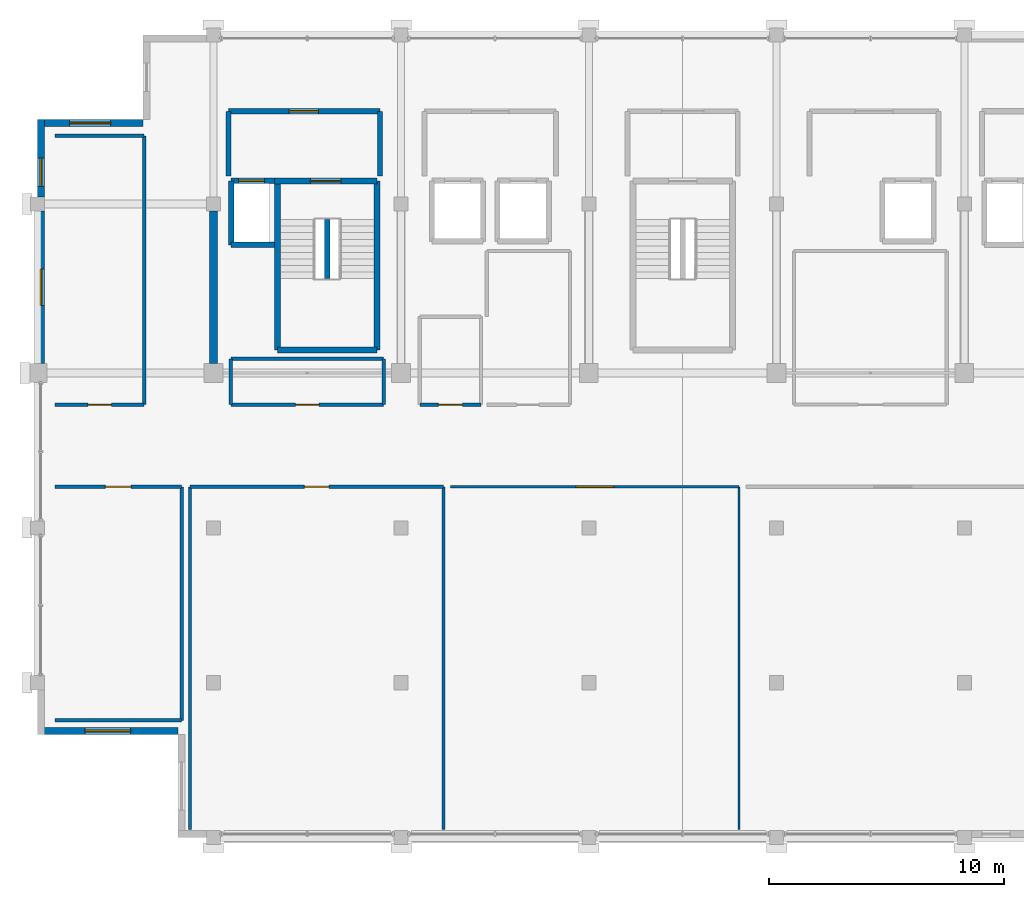
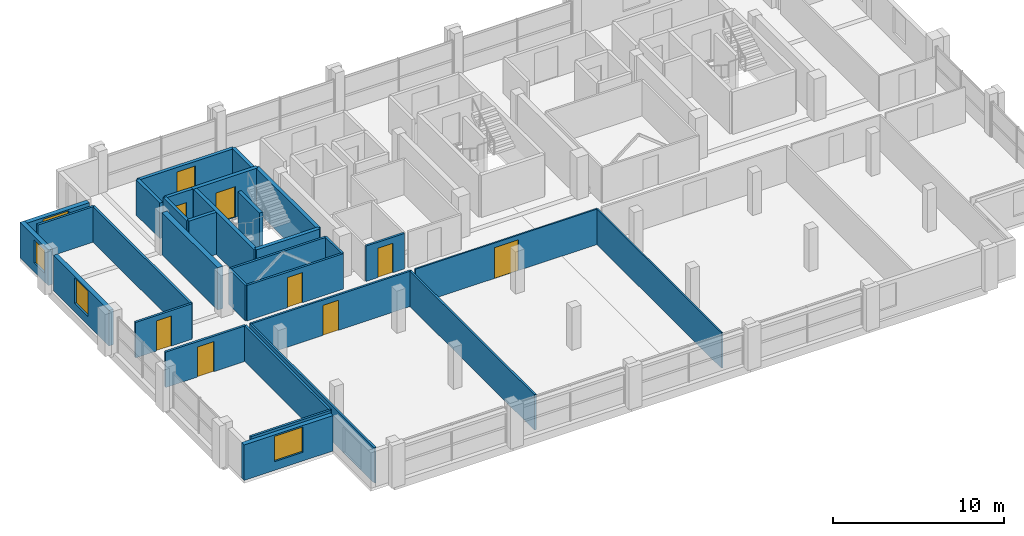
# One storey, part 20 of 24: 32 walls, 9 doors, 4 windows, 13 openings.
"""IFC4 building model written with IfcOpenShell, lengths in metres."""

from ifc_helpers import new_model, si_unit, direction, frame, frame_2d, origin, place, context, subcontext, project, spatial, rectangle, extrude, material, layer, layer_set, type_object, element, fill, save


model = new_model("IFC4")

# Units and contexts
model_context = context("Model", 3, precision=1e-05, world=origin(), true_north=direction((0.0, 1.0)))
body_context = subcontext(model_context, "Body", "Model", "MODEL_VIEW")
ifc_project = project(units=[si_unit("LENGTHUNIT", "METRE"), si_unit("AREAUNIT", "SQUARE_METRE"), si_unit("VOLUMEUNIT", "CUBIC_METRE"), si_unit("PLANEANGLEUNIT", "RADIAN"), si_unit("MASSUNIT", "GRAM", prefix="KILO")], contexts=[model_context])

# Site, building, storey
site_placement = place(None, origin())
site = spatial("IfcSite", under=ifc_project, at=site_placement, CompositionType="ELEMENT")
building_placement = place(site_placement, origin())
building = spatial("IfcBuilding", under=site, at=building_placement, Name="Akrevak Sports Hall", CompositionType="ELEMENT")
storey_placement = place(building_placement, frame((0.0, 0.0, 63.300048828125)))
storey = spatial("IfcBuildingStorey", under=building, at=storey_placement, Name="L16", CompositionType="ELEMENT", Elevation=63.300048828125)

# Wall, opening, window
ifc_material_1 = material(Name="Limestone Ashlar", Category="stone")
ifc_layer_1 = layer(ifc_material_1, 0.06005859375, Name="Limestone Ashlar")
ifc_material_2 = material(Name="Mineral Wool Thermal Insulation", Category="insulation")
ifc_layer_2 = layer(ifc_material_2, 0.090087890625, Name="Mineral Wool Thermal Insulation")
ifc_material_3 = material(Name="Concrete C40/50", Category="concrete")
ifc_layer_3 = layer(ifc_material_3, 0.14990234375, Name="Concrete C40/50")
ifc_layer_set_1 = layer_set([ifc_layer_1, ifc_layer_2, ifc_layer_3], Name="Limestone Ashlar / Mineral Wool Thermal Insulation / Concrete C40/50")
wall_type_1 = type_object("IfcWallType", Name="ARC-WL-EXT-300", PredefinedType="SOLIDWALL", material=ifc_layer_set_1)
wall_1_placement = place(storey_placement, frame((57.0, 65.85009765625, 0.0), z_axis=(0.0, 0.0, 1.0), x_axis=(-1.0, 0.0, 0.0)))
wall_1 = element("IfcWall", 1, at=wall_1_placement, inside=storey, type_object=wall_type_1, Name="Tower Stone Facade Wall L16-N25", PredefinedType="SOLIDWALL", context=body_context, shape_type="SweptSolid", body=[
    extrude(rectangle(XDim=4.5, YDim=0.300048828125, at=frame_2d((2.25, 0.0))), origin(), (0.0, 0.0, 1.0), 2.530029296875),
])
opening_1_placement = place(wall_1_placement, frame((1.375, 0.0, 0.6201171875)))
opening_1 = element("IfcOpeningElement", 2, at=opening_1_placement, cuts=wall_1, Name="Opening WN-56", PredefinedType="OPENING", context=body_context, shape_type="SweptSolid", body=[
    extrude(rectangle(XDim=1.75, YDim=1.81005859375, at=frame_2d((0.875, 0.905029296875))), frame((0.0, 0.162109375, 0.0), z_axis=(0.0, -1.0, 0.0), x_axis=(1.0, 0.0, 0.0)), (0.0, 0.0, 1.0), 0.323974609375),
])
ifc_material_4 = material(Name="Thermally Broken Bronze Frame & Double Low-E Glass", Category="glass")
window_type_1 = type_object("IfcWindowType", Name="ARC-WIN-SZ-1750x1810", PartitioningType="SINGLE_PANEL", PredefinedType="WINDOW", material=ifc_material_4)
window_1_placement = place(opening_1_placement, origin())
window_1 = element("IfcWindow", 3, at=window_1_placement, inside=storey, type_object=window_type_1, Name="Tower Window L16-N25", OverallHeight=1.81005859375, OverallWidth=1.75, PartitioningType="SINGLE_PANEL", PredefinedType="WINDOW", context=body_context, shape_type="SweptSolid", body=[
    extrude(rectangle(XDim=1.75, YDim=1.81005859375, at=frame_2d((0.875, 0.905029296875))), frame((0.0, 0.030029296875, 0.0), z_axis=(0.0, -1.0, 0.0), x_axis=(1.0, 0.0, 0.0)), (0.0, 0.0, 1.0), 0.06005859375),
])
fill(opening_1, window_1)

wall_2_placement = place(storey_placement, frame((52.64990234375, 66.0, 0.0), z_axis=(0.0, 0.0, 1.0), x_axis=(0.0, -1.0, 0.0)))
wall_2 = element("IfcWall", 4, at=wall_2_placement, inside=storey, type_object=wall_type_1, Name="Tower Stone Facade Wall L16-W26", PredefinedType="SOLIDWALL", context=body_context, shape_type="SweptSolid", body=[
    extrude(rectangle(XDim=3.300048828125, YDim=0.300048828125, at=frame_2d((1.64990234375, 0.0))), origin(), (0.0, 0.0, 1.0), 2.530029296875),
])
opening_2_placement = place(wall_2_placement, frame((1.64990234375, 0.0, 0.6201171875)))
opening_2 = element("IfcOpeningElement", 5, at=opening_2_placement, cuts=wall_2, Name="Opening WN-45", PredefinedType="OPENING", context=body_context, shape_type="SweptSolid", body=[
    extrude(rectangle(XDim=1.199951171875, YDim=1.64990234375, at=frame_2d((0.60009765625, 0.824951171875))), frame((0.0, 0.162109375, 0.0), z_axis=(0.0, -1.0, 0.0), x_axis=(1.0, 0.0, 0.0)), (0.0, 0.0, 1.0), 0.323974609375),
])
window_type_2 = type_object("IfcWindowType", Name="ARC-WIN-SZ-1200x1650", PartitioningType="SINGLE_PANEL", PredefinedType="WINDOW", material=ifc_material_4)
window_2_placement = place(opening_2_placement, origin())
window_2 = element("IfcWindow", 6, at=window_2_placement, inside=storey, type_object=window_type_2, Name="Tower Window L16-W26", OverallHeight=1.64990234375, OverallWidth=1.199951171875, PartitioningType="SINGLE_PANEL", PredefinedType="WINDOW", context=body_context, shape_type="SweptSolid", body=[
    extrude(rectangle(XDim=1.199951171875, YDim=1.64990234375, at=frame_2d((0.60009765625, 0.824951171875))), frame((0.0, 0.030029296875, 0.0), z_axis=(0.0, -1.0, 0.0), x_axis=(1.0, 0.0, 0.0)), (0.0, 0.0, 1.0), 0.06005859375),
])
fill(opening_2, window_2)

wall_3_placement = place(storey_placement, frame((52.64990234375, 62.10009765625, 0.0), z_axis=(0.0, 0.0, 1.0), x_axis=(0.0, -1.0, 0.0)))
wall_3 = element("IfcWall", 7, at=wall_3_placement, inside=storey, type_object=wall_type_1, Name="Tower Stone Facade Wall L16-W27", PredefinedType="SOLIDWALL", context=body_context, shape_type="SweptSolid", body=[
    extrude(rectangle(XDim=6.5, YDim=0.300048828125, at=frame_2d((3.25, 0.0))), origin(), (0.0, 0.0, 1.0), 2.530029296875),
])
opening_3_placement = place(wall_3_placement, frame((2.47509765625, 0.0, 0.6201171875)))
opening_3 = element("IfcOpeningElement", 8, at=opening_3_placement, cuts=wall_3, Name="Opening WN-50", PredefinedType="OPENING", context=body_context, shape_type="SweptSolid", body=[
    extrude(rectangle(XDim=1.550048828125, YDim=1.81005859375, at=frame_2d((0.77490234375, 0.905029296875))), frame((0.0, 0.162109375, 0.0), z_axis=(0.0, -1.0, 0.0), x_axis=(1.0, 0.0, 0.0)), (0.0, 0.0, 1.0), 0.323974609375),
])
window_type_3 = type_object("IfcWindowType", Name="ARC-WIN-SZ-1550x1810", PartitioningType="SINGLE_PANEL", PredefinedType="WINDOW", material=ifc_material_4)
window_3_placement = place(opening_3_placement, origin())
window_3 = element("IfcWindow", 9, at=window_3_placement, inside=storey, type_object=window_type_3, Name="Tower Window L16-W27", OverallHeight=1.81005859375, OverallWidth=1.550048828125, PartitioningType="SINGLE_PANEL", PredefinedType="WINDOW", context=body_context, shape_type="SweptSolid", body=[
    extrude(rectangle(XDim=1.550048828125, YDim=1.81005859375, at=frame_2d((0.77490234375, 0.905029296875))), frame((0.0, 0.030029296875, 0.0), z_axis=(0.0, -1.0, 0.0), x_axis=(1.0, 0.0, 0.0)), (0.0, 0.0, 1.0), 0.06005859375),
])
fill(opening_3, window_3)

wall_4_placement = place(storey_placement, frame((52.5, 39.949951171875, 0.0), z_axis=(0.0, 0.0, 1.0), x_axis=(1.0, 0.0, 0.0)))
wall_4 = element("IfcWall", 10, at=wall_4_placement, inside=storey, type_object=wall_type_1, Name="Tower Stone Facade Wall L16-S31", PredefinedType="SOLIDWALL", context=body_context, shape_type="SweptSolid", body=[
    extrude(rectangle(XDim=6.0, YDim=0.300048828125, at=frame_2d((3.0, 0.0))), origin(), (0.0, 0.0, 1.0), 2.530029296875),
])
opening_4_placement = place(wall_4_placement, frame((2.02490234375, 0.0, 0.6201171875)))
opening_4 = element("IfcOpeningElement", 11, at=opening_4_placement, cuts=wall_4, Name="Opening WN-52", PredefinedType="OPENING", context=body_context, shape_type="SweptSolid", body=[
    extrude(rectangle(XDim=1.949951171875, YDim=1.81005859375, at=frame_2d((0.97509765625, 0.905029296875))), frame((0.0, 0.162109375, 0.0), z_axis=(0.0, -1.0, 0.0), x_axis=(1.0, 0.0, 0.0)), (0.0, 0.0, 1.0), 0.323974609375),
])
window_type_4 = type_object("IfcWindowType", Name="ARC-WIN-SZ-1950x1810", PartitioningType="SINGLE_PANEL", PredefinedType="WINDOW", material=ifc_material_4)
window_4_placement = place(opening_4_placement, origin())
window_4 = element("IfcWindow", 12, at=window_4_placement, inside=storey, type_object=window_type_4, Name="Tower Window L16-S31", OverallHeight=1.81005859375, OverallWidth=1.949951171875, PartitioningType="SINGLE_PANEL", PredefinedType="WINDOW", context=body_context, shape_type="SweptSolid", body=[
    extrude(rectangle(XDim=1.949951171875, YDim=1.81005859375, at=frame_2d((0.97509765625, 0.905029296875))), frame((0.0, 0.030029296875, 0.0), z_axis=(0.0, -1.0, 0.0), x_axis=(1.0, 0.0, 0.0)), (0.0, 0.0, 1.0), 0.06005859375),
])
fill(opening_4, window_4)

# Wall, opening, door
ifc_material_5 = material(Name="Sanitary Cubicle Partition", Category="gypsum")
ifc_layer_4 = layer(ifc_material_5, 0.10009765625, Name="Sanitary Cubicle Partition")
ifc_layer_set_2 = layer_set([ifc_layer_4], Name="Sanitary Cubicle Partition")
wall_type_2 = type_object("IfcWallType", Name="ARC-WL-PRT-100", PredefinedType="PARTITIONING", material=ifc_layer_set_2)
wall_5_placement = place(storey_placement, frame((70.10009765625, 50.35009765625, 0.0), z_axis=(0.0, 0.0, 1.0), x_axis=(1.0, 0.0, 0.0)))
wall_5 = element("IfcWall", 13, at=wall_5_placement, inside=storey, type_object=wall_type_2, Name="Interior Partition Sports Heritage Reading Gallery (L16) (N)", PredefinedType="PARTITIONING", context=body_context, shape_type="SweptSolid", body=[
    extrude(rectangle(XDim=12.2998046875, YDim=0.10009765625, at=frame_2d((6.14990234375, 0.0))), origin(), (0.0, 0.0, 1.0), 2.530029296875),
])
opening_5_placement = place(wall_5_placement, frame((5.35009765625, 0.0, 0.0)))
opening_5 = element("IfcOpeningElement", 14, at=opening_5_placement, cuts=wall_5, Name="Opening ID-03", PredefinedType="OPENING", context=body_context, shape_type="SweptSolid", body=[
    extrude(rectangle(XDim=1.60009765625, YDim=2.199951171875, at=frame_2d((0.800048828125, 1.10009765625))), frame((0.0, 0.06201171875, 0.0), z_axis=(0.0, -1.0, 0.0), x_axis=(1.0, 0.0, 0.0)), (0.0, 0.0, 1.0), 0.1240234375),
])
ifc_material_6 = material(Name="Hardwood Oak & Safety Glass", Category="wood")
door_type_1 = type_object("IfcDoorType", Name="ARC-DR-HALL-160x220", OperationType="DOUBLE_DOOR_SINGLE_SWING", PredefinedType="DOOR", material=ifc_material_6)
door_1_placement = place(opening_5_placement, origin())
door_1 = element("IfcDoor", 15, at=door_1_placement, inside=storey, type_object=door_type_1, Name="Door to Sports Heritage Reading Gallery (L16)", OperationType="DOUBLE_DOOR_SINGLE_SWING", OverallHeight=2.199951171875, OverallWidth=1.60009765625, PredefinedType="DOOR", context=body_context, shape_type="SweptSolid", body=[
    extrude(rectangle(XDim=1.60009765625, YDim=2.199951171875, at=frame_2d((0.800048828125, 1.10009765625))), frame((0.0, 0.02490234375, 0.0), z_axis=(0.0, -1.0, 0.0), x_axis=(1.0, 0.0, 0.0)), (0.0, 0.0, 1.0), 0.050048828125),
])
fill(opening_5, door_1)

# Wall
wall_6_placement = place(storey_placement, frame((82.39990234375, 35.75, 0.0), z_axis=(0.0, 0.0, 1.0), x_axis=(0.0, 1.0, 0.0)))
element("IfcWall", 16, at=wall_6_placement, inside=storey, type_object=wall_type_2, Name="Interior Partition Sports Heritage Reading Gallery (L16) (E)", PredefinedType="PARTITIONING", context=body_context, shape_type="SweptSolid", body=[
    extrude(rectangle(XDim=14.60009765625, YDim=0.10009765625, at=frame_2d((7.300048828125, 0.0))), origin(), (0.0, 0.0, 1.0), 2.530029296875),
])

# Wall, opening, door
ifc_material_7 = material(Name="Acoustic Metal Stud Partition", Category="gypsum")
ifc_layer_5 = layer(ifc_material_7, 0.1298828125, Name="Acoustic Metal Stud Partition")
ifc_layer_set_3 = layer_set([ifc_layer_5], Name="Acoustic Metal Stud Partition")
wall_type_3 = type_object("IfcWallType", Name="ARC-WL-PRT-130", PredefinedType="PARTITIONING", material=ifc_layer_set_3)
wall_7_placement = place(storey_placement, frame((59.0, 50.35009765625, 0.0), z_axis=(0.0, 0.0, 1.0), x_axis=(1.0, 0.0, 0.0)))
wall_7 = element("IfcWall", 17, at=wall_7_placement, inside=storey, type_object=wall_type_3, Name="Interior Partition Bosphorus Athletic Club Dining Hall (L16) (N)", PredefinedType="PARTITIONING", context=body_context, shape_type="SweptSolid", body=[
    extrude(rectangle(XDim=10.800048828125, YDim=0.1298828125, at=frame_2d((5.39990234375, 0.0))), origin(), (0.0, 0.0, 1.0), 2.530029296875),
])
opening_6_placement = place(wall_7_placement, frame((4.875, 0.0, 0.0)))
opening_6 = element("IfcOpeningElement", 18, at=opening_6_placement, cuts=wall_7, Name="Opening ID-05", PredefinedType="OPENING", context=body_context, shape_type="SweptSolid", body=[
    extrude(rectangle(XDim=1.050048828125, YDim=2.14990234375, at=frame_2d((0.52490234375, 1.074951171875))), frame((0.0, 0.076904296875, 0.0), z_axis=(0.0, -1.0, 0.0), x_axis=(1.0, 0.0, 0.0)), (0.0, 0.0, 1.0), 0.15380859375),
])
ifc_material_8 = material(Name="Hardwood Oak Acoustic Leaf", Category="wood")
door_type_2 = type_object("IfcDoorType", Name="ARC-DR-OFF-105x215", OperationType="NOTDEFINED", PredefinedType="DOOR", material=ifc_material_8)
door_2_placement = place(opening_6_placement, origin())
door_2 = element("IfcDoor", 19, at=door_2_placement, inside=storey, type_object=door_type_2, Name="Door to Bosphorus Athletic Club Dining Hall (L16)", OperationType="SINGLE_SWING_RIGHT", OverallHeight=2.14990234375, OverallWidth=1.050048828125, PredefinedType="DOOR", context=body_context, shape_type="SweptSolid", body=[
    extrude(rectangle(XDim=1.050048828125, YDim=2.14990234375, at=frame_2d((0.52490234375, 1.074951171875))), frame((0.0, 0.02490234375, 0.0), z_axis=(0.0, -1.0, 0.0), x_axis=(1.0, 0.0, 0.0)), (0.0, 0.0, 1.0), 0.050048828125),
])
fill(opening_6, door_2)

# Walls
for number, where, z_axis, x_axis, name in (
    (20, (59.0, 35.75, 0.0), (0.0, 0.0, 1.0), (0.0, 1.0, 0.0), "Interior Partition Bosphorus Athletic Club Dining Hall (L16) (W)"),
    (21, (69.800048828125, 35.75, 0.0), (0.0, 0.0, 1.0), (0.0, 1.0, 0.0), "Interior Partition Bosphorus Athletic Club Dining Hall (L16) (E)"),
):
    element("IfcWall", number, at=place(storey_placement, frame(where, z_axis=z_axis, x_axis=x_axis)), inside=storey, type_object=wall_type_3, Name=name, PredefinedType="PARTITIONING", context=body_context, shape_type="SweptSolid", body=[
        extrude(rectangle(XDim=14.60009765625, YDim=0.1298828125, at=frame_2d((7.300048828125, 0.0))), origin(), (0.0, 0.0, 1.0), 2.530029296875),
    ])

# Wall, opening, door
ifc_material_9 = material(Name="Moisture-Resistant Wet-Area Partition", Category="gypsum")
ifc_layer_6 = layer(ifc_material_9, 0.139892578125, Name="Moisture-Resistant Wet-Area Partition")
ifc_layer_set_4 = layer_set([ifc_layer_6], Name="Moisture-Resistant Wet-Area Partition")
wall_type_4 = type_object("IfcWallType", Name="ARC-WL-PRT-140", PredefinedType="PARTITIONING", material=ifc_layer_set_4)
wall_8_placement = place(storey_placement, frame((68.800048828125, 53.85009765625, 0.0), z_axis=(0.0, 0.0, 1.0), x_axis=(1.0, 0.0, 0.0)))
wall_8 = element("IfcWall", 22, at=wall_8_placement, inside=storey, type_object=wall_type_4, Name="Interior Partition Accessible WC L16 (S)", PredefinedType="PARTITIONING", context=body_context, shape_type="SweptSolid", body=[
    extrude(rectangle(XDim=2.599853515625, YDim=0.139892578125, at=frame_2d((1.2998046875, 0.0))), origin(), (0.0, 0.0, 1.0), 2.530029296875),
])
opening_7_placement = place(wall_8_placement, frame((0.7900390625, 0.0, 0.0)))
opening_7 = element("IfcOpeningElement", 23, at=opening_7_placement, cuts=wall_8, Name="Opening ID-09", PredefinedType="OPENING", context=body_context, shape_type="SweptSolid", body=[
    extrude(rectangle(XDim=1.02001953125, YDim=2.10009765625, at=frame_2d((0.510009765625, 1.050048828125))), frame((0.0, 0.08203125, 0.0), z_axis=(0.0, -1.0, 0.0), x_axis=(1.0, 0.0, 0.0)), (0.0, 0.0, 1.0), 0.163818359375),
])
ifc_material_10 = material(Name="High-Pressure Laminate & Aluminium", Category="aluminium")
door_type_3 = type_object("IfcDoorType", Name="ARC-DR-AWC-102x210", OperationType="NOTDEFINED", PredefinedType="DOOR", material=ifc_material_10)
door_3_placement = place(opening_7_placement, frame((1.02001953125, 0.0, 0.0), z_axis=(0.0, 0.0, 1.0), x_axis=(-1.0, 0.0, 0.0)))
door_3 = element("IfcDoor", 24, at=door_3_placement, inside=storey, type_object=door_type_3, Name="Door to Accessible WC L16", OperationType="SINGLE_SWING_RIGHT", OverallHeight=2.10009765625, OverallWidth=1.02001953125, PredefinedType="DOOR", context=body_context, shape_type="SweptSolid", body=[
    extrude(rectangle(XDim=1.02001953125, YDim=2.10009765625, at=frame_2d((0.510009765625, 1.050048828125))), frame((0.0, 0.02490234375, 0.0), z_axis=(0.0, -1.0, 0.0), x_axis=(1.0, 0.0, 0.0)), (0.0, 0.0, 1.0), 0.050048828125),
])
fill(opening_7, door_3)

# Wall
ifc_material_11 = material(Name="Double Stud Acoustic Gypsum Partition", Category="gypsum")
ifc_layer_7 = layer(ifc_material_11, 0.14990234375, Name="Double Stud Acoustic Gypsum Partition")
ifc_layer_set_5 = layer_set([ifc_layer_7], Name="Double Stud Acoustic Gypsum Partition")
wall_type_5 = type_object("IfcWallType", Name="ARC-WL-PRT-150", PredefinedType="PARTITIONING", material=ifc_layer_set_5)
wall_9_placement = place(storey_placement, frame((53.25, 40.39990234375, 0.0), z_axis=(0.0, 0.0, 1.0), x_axis=(1.0, 0.0, 0.0)))
element("IfcWall", 25, at=wall_9_placement, inside=storey, type_object=wall_type_5, Name="Interior Partition Olympic Protocol Secretariat West (L16) (S)", PredefinedType="PARTITIONING", context=body_context, shape_type="SweptSolid", body=[
    extrude(rectangle(XDim=5.39990234375, YDim=0.14990234375, at=frame_2d((2.699951171875, 0.0))), origin(), (0.0, 0.0, 1.0), 2.530029296875),
])

# Wall, opening, door
wall_10_placement = place(storey_placement, frame((53.25, 50.35009765625, 0.0), z_axis=(0.0, 0.0, 1.0), x_axis=(1.0, 0.0, 0.0)))
wall_10 = element("IfcWall", 26, at=wall_10_placement, inside=storey, type_object=wall_type_5, Name="Interior Partition Olympic Protocol Secretariat West (L16) (N)", PredefinedType="PARTITIONING", context=body_context, shape_type="SweptSolid", body=[
    extrude(rectangle(XDim=5.39990234375, YDim=0.14990234375, at=frame_2d((2.699951171875, 0.0))), origin(), (0.0, 0.0, 1.0), 2.530029296875),
])
opening_8_placement = place(wall_10_placement, frame((2.14990234375, 0.0, 0.0)))
opening_8 = element("IfcOpeningElement", 27, at=opening_8_placement, cuts=wall_10, Name="Opening ID-04", PredefinedType="OPENING", context=body_context, shape_type="SweptSolid", body=[
    extrude(rectangle(XDim=1.10009765625, YDim=2.14990234375, at=frame_2d((0.550048828125, 1.074951171875))), frame((0.0, 0.0869140625, 0.0), z_axis=(0.0, -1.0, 0.0), x_axis=(1.0, 0.0, 0.0)), (0.0, 0.0, 1.0), 0.173828125),
])
door_type_4 = type_object("IfcDoorType", Name="ARC-DR-OFF-110x215", OperationType="NOTDEFINED", PredefinedType="DOOR", material=ifc_material_8)
door_4_placement = place(opening_8_placement, frame((1.10009765625, 0.0, 0.0), z_axis=(0.0, 0.0, 1.0), x_axis=(-1.0, 0.0, 0.0)))
door_4 = element("IfcDoor", 28, at=door_4_placement, inside=storey, type_object=door_type_4, Name="Door to Olympic Protocol Secretariat West (L16)", OperationType="SINGLE_SWING_RIGHT", OverallHeight=2.14990234375, OverallWidth=1.10009765625, PredefinedType="DOOR", context=body_context, shape_type="SweptSolid", body=[
    extrude(rectangle(XDim=1.10009765625, YDim=2.14990234375, at=frame_2d((0.550048828125, 1.074951171875))), frame((0.0, 0.02490234375, 0.0), z_axis=(0.0, -1.0, 0.0), x_axis=(1.0, 0.0, 0.0)), (0.0, 0.0, 1.0), 0.050048828125),
])
fill(opening_8, door_4)

# Wall
wall_11_placement = place(storey_placement, frame((58.64990234375, 40.39990234375, 0.0), z_axis=(0.0, 0.0, 1.0), x_axis=(0.0, 1.0, 0.0)))
element("IfcWall", 29, at=wall_11_placement, inside=storey, type_object=wall_type_5, Name="Interior Partition Olympic Protocol Secretariat West (L16) (E)", PredefinedType="PARTITIONING", context=body_context, shape_type="SweptSolid", body=[
    extrude(rectangle(XDim=9.9501953125, YDim=0.14990234375, at=frame_2d((4.97509765625, 0.0))), origin(), (0.0, 0.0, 1.0), 2.530029296875),
])

# Wall, opening, door
wall_12_placement = place(storey_placement, frame((53.25, 53.85009765625, 0.0), z_axis=(0.0, 0.0, 1.0), x_axis=(1.0, 0.0, 0.0)))
wall_12 = element("IfcWall", 30, at=wall_12_placement, inside=storey, type_object=wall_type_5, Name="Interior Partition Federation Records Office West (L16) (S)", PredefinedType="PARTITIONING", context=body_context, shape_type="SweptSolid", body=[
    extrude(rectangle(XDim=3.800048828125, YDim=0.14990234375, at=frame_2d((1.89990234375, 0.0))), origin(), (0.0, 0.0, 1.0), 2.530029296875),
])
opening_9_placement = place(wall_12_placement, frame((1.39990234375, 0.0, 0.0)))
opening_9 = element("IfcOpeningElement", 31, at=opening_9_placement, cuts=wall_12, Name="Opening ID-06", PredefinedType="OPENING", context=body_context, shape_type="SweptSolid", body=[
    extrude(rectangle(XDim=1.0, YDim=2.14990234375, at=frame_2d((0.5, 1.074951171875))), frame((0.0, 0.0869140625, 0.0), z_axis=(0.0, -1.0, 0.0), x_axis=(1.0, 0.0, 0.0)), (0.0, 0.0, 1.0), 0.173828125),
])
door_type_5 = type_object("IfcDoorType", Name="ARC-DR-OFF-100x215", OperationType="NOTDEFINED", PredefinedType="DOOR", material=ifc_material_8)
door_5_placement = place(opening_9_placement, frame((1.0, 0.0, 0.0), z_axis=(0.0, 0.0, 1.0), x_axis=(-1.0, 0.0, 0.0)))
door_5 = element("IfcDoor", 32, at=door_5_placement, inside=storey, type_object=door_type_5, Name="Door to Federation Records Office West (L16)", OperationType="SINGLE_SWING_RIGHT", OverallHeight=2.14990234375, OverallWidth=1.0, PredefinedType="DOOR", context=body_context, shape_type="SweptSolid", body=[
    extrude(rectangle(XDim=1.0, YDim=2.14990234375, at=frame_2d((0.5, 1.074951171875))), frame((0.0, 0.02490234375, 0.0), z_axis=(0.0, -1.0, 0.0), x_axis=(1.0, 0.0, 0.0)), (0.0, 0.0, 1.0), 0.050048828125),
])
fill(opening_9, door_5)

# Walls
wall_13_placement = place(storey_placement, frame((53.25, 65.300048828125, 0.0), z_axis=(0.0, 0.0, 1.0), x_axis=(1.0, 0.0, 0.0)))
element("IfcWall", 33, at=wall_13_placement, inside=storey, type_object=wall_type_5, Name="Interior Partition Federation Records Office West (L16) (N)", PredefinedType="PARTITIONING", context=body_context, shape_type="SweptSolid", body=[
    extrude(rectangle(XDim=3.800048828125, YDim=0.14990234375, at=frame_2d((1.89990234375, 0.0))), origin(), (0.0, 0.0, 1.0), 2.530029296875),
])
wall_14_placement = place(storey_placement, frame((57.050048828125, 53.85009765625, 0.0), z_axis=(0.0, 0.0, 1.0), x_axis=(0.0, 1.0, 0.0)))
element("IfcWall", 34, at=wall_14_placement, inside=storey, type_object=wall_type_5, Name="Interior Partition Federation Records Office West (L16) (E)", PredefinedType="PARTITIONING", context=body_context, shape_type="SweptSolid", body=[
    extrude(rectangle(XDim=11.449951171875, YDim=0.14990234375, at=frame_2d((5.72509765625, 0.0))), origin(), (0.0, 0.0, 1.0), 2.530029296875),
])

# Wall, opening, door
wall_15_placement = place(storey_placement, frame((60.75, 53.85009765625, 0.0), z_axis=(0.0, 0.0, 1.0), x_axis=(1.0, 0.0, 0.0)))
wall_15 = element("IfcWall", 35, at=wall_15_placement, inside=storey, type_object=wall_type_5, Name="Interior Partition Federation Technical Office West (L16) (S)", PredefinedType="PARTITIONING", context=body_context, shape_type="SweptSolid", body=[
    extrude(rectangle(XDim=6.5, YDim=0.14990234375, at=frame_2d((3.25, 0.0))), origin(), (0.0, 0.0, 1.0), 2.530029296875),
])
opening_10_placement = place(wall_15_placement, frame((2.75, 0.0, 0.0)))
opening_10 = element("IfcOpeningElement", 36, at=opening_10_placement, cuts=wall_15, Name="Opening ID-06", PredefinedType="OPENING", context=body_context, shape_type="SweptSolid", body=[
    extrude(rectangle(XDim=1.0, YDim=2.14990234375, at=frame_2d((0.5, 1.074951171875))), frame((0.0, 0.0869140625, 0.0), z_axis=(0.0, -1.0, 0.0), x_axis=(1.0, 0.0, 0.0)), (0.0, 0.0, 1.0), 0.173828125),
])
door_6_placement = place(opening_10_placement, origin())
door_6 = element("IfcDoor", 37, at=door_6_placement, inside=storey, type_object=door_type_5, Name="Door to Federation Technical Office West (L16)", OperationType="SINGLE_SWING_LEFT", OverallHeight=2.14990234375, OverallWidth=1.0, PredefinedType="DOOR", context=body_context, shape_type="SweptSolid", body=[
    extrude(rectangle(XDim=1.0, YDim=2.14990234375, at=frame_2d((0.5, 1.074951171875))), frame((0.0, 0.02490234375, 0.0), z_axis=(0.0, -1.0, 0.0), x_axis=(1.0, 0.0, 0.0)), (0.0, 0.0, 1.0), 0.050048828125),
])
fill(opening_10, door_6)

# Walls
wall_16_placement = place(storey_placement, frame((60.75, 55.800048828125, 0.0), z_axis=(0.0, 0.0, 1.0), x_axis=(1.0, 0.0, 0.0)))
element("IfcWall", 38, at=wall_16_placement, inside=storey, type_object=wall_type_5, Name="Interior Partition Federation Technical Office West (L16) (N)", PredefinedType="PARTITIONING", context=body_context, shape_type="SweptSolid", body=[
    extrude(rectangle(XDim=6.5, YDim=0.14990234375, at=frame_2d((3.25, 0.0))), origin(), (0.0, 0.0, 1.0), 2.530029296875),
])
for number, where, z_axis, x_axis, name in (
    (39, (60.75, 53.85009765625, 0.0), (0.0, 0.0, 1.0), (0.0, 1.0, 0.0), "Interior Partition Federation Technical Office West (L16) (W)"),
    (40, (67.25, 53.85009765625, 0.0), (0.0, 0.0, 1.0), (0.0, 1.0, 0.0), "Interior Partition Federation Technical Office West (L16) (E)"),
):
    element("IfcWall", number, at=place(storey_placement, frame(where, z_axis=z_axis, x_axis=x_axis)), inside=storey, type_object=wall_type_5, Name=name, PredefinedType="PARTITIONING", context=body_context, shape_type="SweptSolid", body=[
        extrude(rectangle(XDim=1.949951171875, YDim=0.14990234375, at=frame_2d((0.97509765625, 0.0))), origin(), (0.0, 0.0, 1.0), 2.530029296875),
    ])
ifc_layer_8 = layer(ifc_material_3, 0.219970703125, Name="Concrete C40/50")
ifc_layer_set_6 = layer_set([ifc_layer_8], Name="Concrete C40/50")
wall_type_6 = type_object("IfcWallType", Name="ARC-WL-PRT-220", PredefinedType="PARTITIONING", material=ifc_layer_set_6)
wall_17_placement = place(storey_placement, frame((64.85009765625, 59.215087890625, 0.0), z_axis=(0.0, 0.0, 1.0), x_axis=(0.0, 1.0, 0.0)))
element("IfcWall", 41, at=wall_17_placement, inside=storey, type_object=wall_type_6, Name="Stair ST1 Central Spine Wall (L16)", PredefinedType="PARTITIONING", context=body_context, shape_type="SweptSolid", body=[
    extrude(rectangle(XDim=2.52001953125, YDim=0.219970703125, at=frame_2d((1.260009765625, 0.0))), origin(), (0.0, 0.0, 1.0), 3.010009765625),
])

# Wall, opening, door
wall_18_placement = place(storey_placement, frame((60.64990234375, 66.35009765625, 0.0), z_axis=(0.0, 0.0, 1.0), x_axis=(1.0, 0.0, 0.0)))
wall_18 = element("IfcWall", 42, at=wall_18_placement, inside=storey, type_object=wall_type_6, Name="Interior Partition Firefighting Lobby West L16 (N)", PredefinedType="PARTITIONING", context=body_context, shape_type="SweptSolid", body=[
    extrude(rectangle(XDim=6.4501953125, YDim=0.219970703125, at=frame_2d((3.22509765625, 0.0))), origin(), (0.0, 0.0, 1.0), 2.530029296875),
])
opening_11_placement = place(wall_18_placement, frame((2.574951171875, 0.0, 0.0)))
opening_11 = element("IfcOpeningElement", 43, at=opening_11_placement, cuts=wall_18, Name="Opening FD-01", PredefinedType="OPENING", context=body_context, shape_type="SweptSolid", body=[
    extrude(rectangle(XDim=1.25, YDim=2.199951171875, at=frame_2d((0.625, 1.10009765625))), frame((0.0, 0.1220703125, 0.0), z_axis=(0.0, -1.0, 0.0), x_axis=(1.0, 0.0, 0.0)), (0.0, 0.0, 1.0), 0.243896484375),
])
ifc_material_12 = material(Name="Fire-Rated Galvanized Door Steel", Category="steel")
door_type_6 = type_object("IfcDoorType", Name="ARC-DR-FFL-125x220", OperationType="NOTDEFINED", PredefinedType="DOOR", material=ifc_material_12)
door_7_placement = place(opening_11_placement, frame((1.25, 0.0, 0.0), z_axis=(0.0, 0.0, 1.0), x_axis=(-1.0, 0.0, 0.0)))
door_7 = element("IfcDoor", 44, at=door_7_placement, inside=storey, type_object=door_type_6, Name="Door to Firefighting Lobby West L16", OperationType="SINGLE_SWING_RIGHT", OverallHeight=2.199951171875, OverallWidth=1.25, PredefinedType="DOOR", context=body_context, shape_type="SweptSolid", body=[
    extrude(rectangle(XDim=1.25, YDim=2.199951171875, at=frame_2d((0.625, 1.10009765625))), frame((0.0, 0.02490234375, 0.0), z_axis=(0.0, -1.0, 0.0), x_axis=(1.0, 0.0, 0.0)), (0.0, 0.0, 1.0), 0.050048828125),
])
fill(opening_11, door_7)

# Walls
for number, where, z_axis, x_axis, name in (
    (45, (60.64990234375, 63.60009765625, 0.0), (0.0, 0.0, 1.0), (0.0, 1.0, 0.0), "Interior Partition Firefighting Lobby West L16 (W)"),
    (46, (67.10009765625, 63.60009765625, 0.0), (0.0, 0.0, 1.0), (0.0, 1.0, 0.0), "Interior Partition Firefighting Lobby West L16 (E)"),
):
    element("IfcWall", number, at=place(storey_placement, frame(where, z_axis=z_axis, x_axis=x_axis)), inside=storey, type_object=wall_type_6, Name=name, PredefinedType="PARTITIONING", context=body_context, shape_type="SweptSolid", body=[
        extrude(rectangle(XDim=2.75, YDim=0.219970703125, at=frame_2d((1.375, 0.0))), origin(), (0.0, 0.0, 1.0), 2.530029296875),
    ])
ifc_material_13 = material(Name="Concrete C50/60", Category="concrete")
ifc_layer_9 = layer(ifc_material_13, 0.219970703125, Name="Concrete C50/60")
ifc_layer_set_7 = layer_set([ifc_layer_9], Name="Concrete C50/60")
wall_type_7 = type_object("IfcWallType", Name="ARC-WL-SHAFT-220", PredefinedType="SHEAR", material=ifc_layer_set_7)
wall_19_placement = place(storey_placement, frame((60.760009765625, 60.659912109375, 0.0), z_axis=(0.0, 0.0, 1.0), x_axis=(1.0, 0.0, 0.0)))
element("IfcWall", 47, at=wall_19_placement, inside=storey, type_object=wall_type_7, Name="Lift Shaft LF-FF1 Wall S (L16)", PredefinedType="SHEAR", context=body_context, shape_type="SweptSolid", body=[
    extrude(rectangle(XDim=1.840087890625, YDim=0.219970703125, at=frame_2d((0.919921875, 0.0))), origin(), (0.0, 0.0, 1.0), 3.010009765625),
])

# Wall, opening, door
wall_20_placement = place(storey_placement, frame((62.60009765625, 63.389892578125, 0.0), z_axis=(0.0, 0.0, 1.0), x_axis=(-1.0, 0.0, 0.0)))
wall_20 = element("IfcWall", 48, at=wall_20_placement, inside=storey, type_object=wall_type_7, Name="Lift Shaft LF-FF1 Wall N (L16)", PredefinedType="SHEAR", context=body_context, shape_type="SweptSolid", body=[
    extrude(rectangle(XDim=1.840087890625, YDim=0.219970703125, at=frame_2d((0.919921875, 0.0))), origin(), (0.0, 0.0, 1.0), 3.010009765625),
])
opening_12_placement = place(wall_20_placement, frame((0.425048828125, 0.0, 0.0)))
opening_12 = element("IfcOpeningElement", 49, at=opening_12_placement, cuts=wall_20, Name="Opening LD-01", PredefinedType="OPENING", context=body_context, shape_type="SweptSolid", body=[
    extrude(rectangle(XDim=1.10009765625, YDim=2.199951171875, at=frame_2d((0.550048828125, 1.10009765625))), frame((0.0, 0.1220703125, 0.0), z_axis=(0.0, -1.0, 0.0), x_axis=(1.0, 0.0, 0.0)), (0.0, 0.0, 1.0), 0.243896484375),
])
ifc_material_14 = material(Name="Brushed Stainless Steel 304", Category="steel")
door_type_7 = type_object("IfcDoorType", Name="ARC-DR-LD-110x220", OperationType="SLIDING_TO_LEFT", PredefinedType="DOOR", material=ifc_material_14)
door_8_placement = place(opening_12_placement, origin())
door_8 = element("IfcDoor", 50, at=door_8_placement, inside=storey, type_object=door_type_7, Name="Lift LF-FF1 Sliding Landing Door (L16)", OperationType="SLIDING_TO_LEFT", OverallHeight=2.199951171875, OverallWidth=1.10009765625, PredefinedType="DOOR", context=body_context, shape_type="SweptSolid", body=[
    extrude(rectangle(XDim=1.10009765625, YDim=2.199951171875, at=frame_2d((0.550048828125, 1.10009765625))), frame((0.0, 0.02490234375, 0.0), z_axis=(0.0, -1.0, 0.0), x_axis=(1.0, 0.0, 0.0)), (0.0, 0.0, 1.0), 0.050048828125),
])
fill(opening_12, door_8)

# Walls
wall_21_placement = place(storey_placement, frame((60.760009765625, 63.389892578125, 0.0), z_axis=(0.0, 0.0, 1.0), x_axis=(0.0, -1.0, 0.0)))
element("IfcWall", 51, at=wall_21_placement, inside=storey, type_object=wall_type_7, Name="Lift Shaft LF-FF1 Wall W (L16)", PredefinedType="SHEAR", context=body_context, shape_type="SweptSolid", body=[
    extrude(rectangle(XDim=2.72998046875, YDim=0.219970703125, at=frame_2d((1.364990234375, 0.0))), origin(), (0.0, 0.0, 1.0), 3.010009765625),
])
ifc_layer_10 = layer(ifc_material_13, 0.35009765625, Name="Concrete C50/60")
ifc_layer_set_8 = layer_set([ifc_layer_10], Name="Concrete C50/60")
wall_type_8 = type_object("IfcWallType", Name="STR-WL-CORE-350", PredefinedType="SHEAR", material=ifc_layer_set_8)
wall_22_placement = place(storey_placement, frame((60.0, 55.60009765625, 0.0), z_axis=(0.0, 0.0, 1.0), x_axis=(0.0, 1.0, 0.0)))
element("IfcWall", 52, at=wall_22_placement, inside=storey, type_object=wall_type_8, Name="Reinforced Concrete Shear Wall SW-W2 (L16)", PredefinedType="SHEAR", context=body_context, shape_type="SweptSolid", body=[
    extrude(rectangle(XDim=6.5, YDim=0.35009765625, at=frame_2d((3.25, 0.0))), origin(), (0.0, 0.0, 1.0), 3.010009765625),
])
ifc_layer_11 = layer(ifc_material_13, 0.25, Name="Concrete C50/60")
ifc_layer_set_9 = layer_set([ifc_layer_11], Name="Concrete C50/60")
wall_type_9 = type_object("IfcWallType", Name="STR-WL-STAIR-250", PredefinedType="SHEAR", material=ifc_layer_set_9)
wall_23_placement = place(storey_placement, frame((62.72509765625, 56.175048828125, 0.0), z_axis=(0.0, 0.0, 1.0), x_axis=(1.0, 0.0, 0.0)))
element("IfcWall", 53, at=wall_23_placement, inside=storey, type_object=wall_type_9, Name="Stair Core ST1 Shear Wall S (L16)", PredefinedType="SHEAR", context=body_context, shape_type="SweptSolid", body=[
    extrude(rectangle(XDim=4.25, YDim=0.25, at=frame_2d((2.125, 0.0))), origin(), (0.0, 0.0, 1.0), 3.010009765625),
])

# Wall, opening, door
wall_24_placement = place(storey_placement, frame((66.97509765625, 63.375, 0.0), z_axis=(0.0, 0.0, 1.0), x_axis=(-1.0, 0.0, 0.0)))
wall_24 = element("IfcWall", 54, at=wall_24_placement, inside=storey, type_object=wall_type_9, Name="Stair Core ST1 Shear Wall N (L16)", PredefinedType="SHEAR", context=body_context, shape_type="SweptSolid", body=[
    extrude(rectangle(XDim=4.375, YDim=0.25, at=frame_2d((2.1875, 0.0))), origin(), (0.0, 0.0, 1.0), 3.010009765625),
])
opening_13_placement = place(wall_24_placement, frame((1.53759765625, 0.0, 0.0)))
opening_13 = element("IfcOpeningElement", 55, at=opening_13_placement, cuts=wall_24, Name="Opening SD-01", PredefinedType="OPENING", context=body_context, shape_type="SweptSolid", body=[
    extrude(rectangle(XDim=1.300048828125, YDim=2.199951171875, at=frame_2d((0.64990234375, 1.10009765625))), frame((0.0, 0.136962890625, 0.0), z_axis=(0.0, -1.0, 0.0), x_axis=(1.0, 0.0, 0.0)), (0.0, 0.0, 1.0), 0.27392578125),
])
door_type_8 = type_object("IfcDoorType", Name="ARC-DR-STAIR-130x220", OperationType="NOTDEFINED", PredefinedType="DOOR", material=ifc_material_12)
door_9_placement = place(opening_13_placement, origin())
door_9 = element("IfcDoor", 56, at=door_9_placement, inside=storey, type_object=door_type_8, Name="Exit Stair ST1 Door (L16)", OperationType="SINGLE_SWING_RIGHT", OverallHeight=2.199951171875, OverallWidth=1.300048828125, PredefinedType="DOOR", context=body_context, shape_type="SweptSolid", body=[
    extrude(rectangle(XDim=1.300048828125, YDim=2.199951171875, at=frame_2d((0.64990234375, 1.10009765625))), frame((0.0, 0.02490234375, 0.0), z_axis=(0.0, -1.0, 0.0), x_axis=(1.0, 0.0, 0.0)), (0.0, 0.0, 1.0), 0.050048828125),
])
fill(opening_13, door_9)

# Walls
wall_25_placement = place(storey_placement, frame((62.72509765625, 63.25, 0.0), z_axis=(0.0, 0.0, 1.0), x_axis=(0.0, -1.0, 0.0)))
element("IfcWall", 57, at=wall_25_placement, inside=storey, type_object=wall_type_9, Name="Stair Core ST1 Shear Wall W (L16)", PredefinedType="SHEAR", context=body_context, shape_type="SweptSolid", body=[
    extrude(rectangle(XDim=7.074951171875, YDim=0.25, at=frame_2d((3.53759765625, 0.0))), origin(), (0.0, 0.0, 1.0), 3.010009765625),
])
wall_26_placement = place(storey_placement, frame((66.97509765625, 56.175048828125, 0.0), z_axis=(0.0, 0.0, 1.0), x_axis=(0.0, 1.0, 0.0)))
element("IfcWall", 58, at=wall_26_placement, inside=storey, type_object=wall_type_9, Name="Stair Core ST1 Shear Wall E (L16)", PredefinedType="SHEAR", context=body_context, shape_type="SweptSolid", body=[
    extrude(rectangle(XDim=7.199951171875, YDim=0.25, at=frame_2d((3.60009765625, 0.0))), origin(), (0.0, 0.0, 1.0), 3.010009765625),
])

save(model, "model.ifc")
